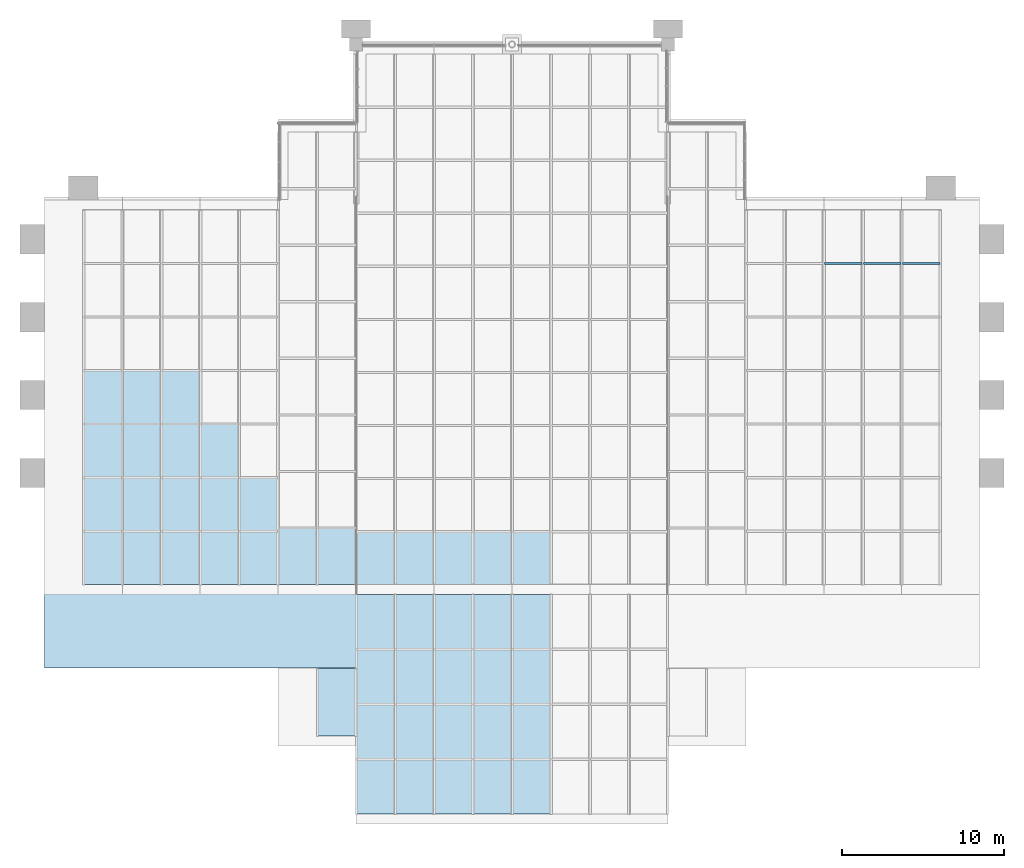
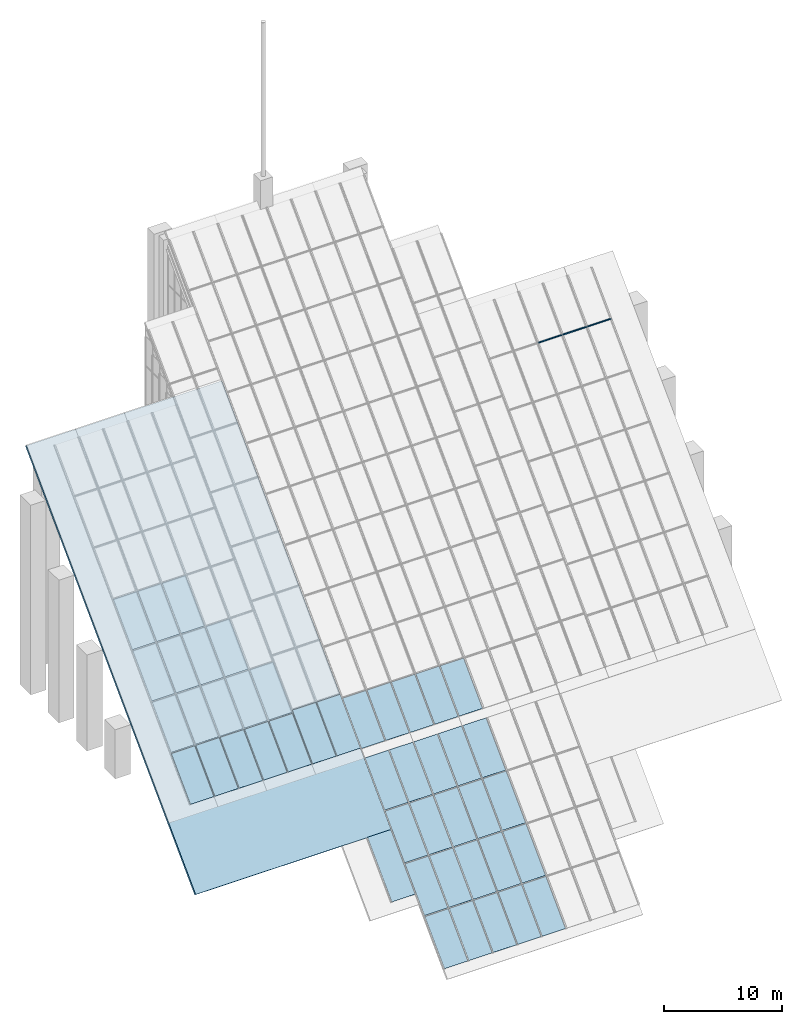
# One storey, part 17 of 25: 45 plates, 3 members, 1 slab, 21 elements without a shape of their own.
"""IFC4 building model written with IfcOpenShell, lengths in metres."""

from ifc_helpers import new_model, si_unit, direction, frame, origin, origin_2d, place, context, subcontext, project, spatial, polyline, rectangle, outline, extrude, material, layer, layer_set, material_profile, profile_set, type_object, element, aggregate, save


model = new_model("IFC4")

# Units and contexts
model_context = context("Model", 3, precision=1e-05, world=origin(), true_north=direction((0.0, 1.0)))
body_context = subcontext(model_context, "Body", "Model", "MODEL_VIEW")
ifc_project = project(units=[si_unit("LENGTHUNIT", "METRE"), si_unit("AREAUNIT", "SQUARE_METRE"), si_unit("VOLUMEUNIT", "CUBIC_METRE"), si_unit("PLANEANGLEUNIT", "RADIAN"), si_unit("MASSUNIT", "GRAM", prefix="KILO")], contexts=[model_context])

# Site, building, storey
site_placement = place(None, origin())
site = spatial("IfcSite", under=ifc_project, at=site_placement, CompositionType="ELEMENT")
building_placement = place(site_placement, origin())
building = spatial("IfcBuilding", under=site, at=building_placement, Name="Baori Bourse Tower", CompositionType="ELEMENT")
storey_placement = place(building_placement, frame((0.0, 0.0, 378.300048828125)))
storey = spatial("IfcBuildingStorey", under=building, at=storey_placement, Name="Roof", CompositionType="ELEMENT", Elevation=378.300048828125)

# Curtain wall, member
ifc_material_1 = material(Name="Pale anodised aluminium", Category="aluminium")
curtain_wall_type = type_object("IfcCurtainWallType", Name="CW4 Curtain wall", PredefinedType="NOTDEFINED", material=ifc_material_1)
curtain_wall_1_placement = place(storey_placement, origin())
curtain_wall_1 = element("IfcCurtainWall", 1, at=curtain_wall_1_placement, inside=storey, type_object=curtain_wall_type, Name="Curtain wall CW4 roof glazing 30", PredefinedType="NOTDEFINED")
ifc_material_2 = material(Name="Pale anodised aluminium", Category="aluminium")
ifc_material_profile = material_profile(ifc_material_2, rectangle(XDim=0.139892578125, YDim=0.054931640625, at=origin_2d()), Name="Transom 55x140")
ifc_profile_set = profile_set([ifc_material_profile], Name="Pale anodised aluminium")
member_type = type_object("IfcMemberType", Name="CW4 Curtain wall transom", PredefinedType="USERDEFINED", material=ifc_profile_set)
member_1_placement = place(storey_placement, frame((48.050048828125, 34.50341796875, 19.61962890625), z_axis=(1.0, 0.0, 0.0), x_axis=(0.0, 1.0, 0.0)))
member_1 = element("IfcMember", 2, at=member_1_placement, type_object=member_type, Name="Curtain wall CW4 cross bar 30.6", ObjectType="TRANSOM", PredefinedType="USERDEFINED", context=body_context, shape_type="SweptSolid", body=[
    extrude(rectangle(XDim=0.139892578125, YDim=0.054931640625, at=origin_2d()), origin(), (0.0, 0.0, 1.0), 2.300048828125),
])
aggregate(curtain_wall_1, [member_1])

curtain_wall_2_placement = place(storey_placement, origin())
curtain_wall_2 = element("IfcCurtainWall", 3, at=curtain_wall_2_placement, inside=storey, type_object=curtain_wall_type, Name="Curtain wall CW4 roof glazing 31", PredefinedType="NOTDEFINED")
member_2_placement = place(storey_placement, frame((50.449951171875, 34.50341796875, 19.61962890625), z_axis=(1.0, 0.0, 0.0), x_axis=(0.0, 1.0, 0.0)))
member_2 = element("IfcMember", 4, at=member_2_placement, type_object=member_type, Name="Curtain wall CW4 cross bar 31.6", ObjectType="TRANSOM", PredefinedType="USERDEFINED", context=body_context, shape_type="SweptSolid", body=[
    extrude(rectangle(XDim=0.139892578125, YDim=0.054931640625, at=origin_2d()), origin(), (0.0, 0.0, 1.0), 2.300048828125),
])
aggregate(curtain_wall_2, [member_2])

curtain_wall_3_placement = place(storey_placement, origin())
curtain_wall_3 = element("IfcCurtainWall", 5, at=curtain_wall_3_placement, inside=storey, type_object=curtain_wall_type, Name="Curtain wall CW4 roof glazing 32", PredefinedType="NOTDEFINED")
member_3_placement = place(storey_placement, frame((52.85009765625, 34.50341796875, 19.61962890625), z_axis=(1.0, 0.0, 0.0), x_axis=(0.0, 1.0, 0.0)))
member_3 = element("IfcMember", 6, at=member_3_placement, type_object=member_type, Name="Curtain wall CW4 cross bar 32.6", ObjectType="TRANSOM", PredefinedType="USERDEFINED", context=body_context, shape_type="SweptSolid", body=[
    extrude(rectangle(XDim=0.139892578125, YDim=0.054931640625, at=origin_2d()), origin(), (0.0, 0.0, 1.0), 2.2998046875),
])
aggregate(curtain_wall_3, [member_3])

# Curtain wall, plates
curtain_wall_4_placement = place(storey_placement, origin())
curtain_wall_4 = element("IfcCurtainWall", 7, at=curtain_wall_4_placement, inside=storey, type_object=curtain_wall_type, Name="Curtain wall CW4 roof glazing 1", PredefinedType="NOTDEFINED")
ifc_material_3 = material(Name="Clear glass", Category="glass")
ifc_layer_1 = layer(ifc_material_3, 0.02587890625)
ifc_layer_set_1 = layer_set([ifc_layer_1], Name="CW4 Curtain wall panel")
plate_type = type_object("IfcPlateType", Name="CW4 Curtain wall panel", PredefinedType="CURTAIN_PANEL", material=ifc_layer_set_1)
plate_1_placement = place(storey_placement, frame((2.449951171875, 14.723388671875, -0.38916015625), z_axis=(0.0, -0.711474983722, 0.702711425507), x_axis=(1.0, 0.0, 0.0)))
plate_1 = element("IfcPlate", 8, at=plate_1_placement, type_object=plate_type, Name="Curtain wall CW4 roof glass 1.1", PredefinedType="CURTAIN_PANEL", context=body_context, shape_type="SweptSolid", body=[
    extrude(outline(polyline([(0.0, 0.0), (2.300048828125, 0.0), (2.300048828125, 4.652389289127015), (0.0, 4.652389289127015), (0.0, 0.0)])), origin(), (0.0, 0.0, -1.0), 0.02587890625),
])
plate_2_placement = place(storey_placement, frame((2.449951171875, 18.047607421875, 2.9765625), z_axis=(0.0, -0.711485678109, 0.702700597585), x_axis=(1.0, 0.0, 0.0)))
plate_2 = element("IfcPlate", 9, at=plate_2_placement, type_object=plate_type, Name="Curtain wall CW4 roof glass 1.2", PredefinedType="CURTAIN_PANEL", context=body_context, shape_type="SweptSolid", body=[
    extrude(outline(polyline([(0.0, 0.0), (2.300048828125, 0.0), (2.300048828125, 4.613201169732892), (0.0, 4.613201169732892), (0.0, 0.0)])), origin(), (0.0, 0.0, -1.0), 0.02587890625),
])
plate_3_placement = place(storey_placement, frame((2.449951171875, 21.34423828125, 6.314453125), z_axis=(0.0, -0.711485678109, 0.702700597585), x_axis=(1.0, 0.0, 0.0)))
plate_3 = element("IfcPlate", 10, at=plate_3_placement, type_object=plate_type, Name="Curtain wall CW4 roof glass 1.3", PredefinedType="CURTAIN_PANEL", context=body_context, shape_type="SweptSolid", body=[
    extrude(outline(polyline([(0.0, 0.0), (2.300048828125, 0.0), (2.300048828125, 4.613201169732892), (0.0, 4.613201169732892), (0.0, 0.0)])), origin(), (0.0, 0.0, -1.0), 0.02587890625),
])
plate_4_placement = place(storey_placement, frame((2.449951171875, 24.640869140625, 9.65234375), z_axis=(0.0, -0.711485678109, 0.702700597585), x_axis=(1.0, 0.0, 0.0)))
plate_4 = element("IfcPlate", 11, at=plate_4_placement, type_object=plate_type, Name="Curtain wall CW4 roof glass 1.4", PredefinedType="CURTAIN_PANEL", context=body_context, shape_type="SweptSolid", body=[
    extrude(outline(polyline([(0.0, 0.0), (2.300048828125, 0.0), (2.300048828125, 4.613201169732892), (0.0, 4.613201169732892), (0.0, 0.0)])), origin(), (0.0, 0.0, -1.0), 0.02587890625),
])
aggregate(curtain_wall_4, [plate_1, plate_2, plate_3, plate_4])

curtain_wall_5_placement = place(storey_placement, origin())
curtain_wall_5 = element("IfcCurtainWall", 12, at=curtain_wall_5_placement, inside=storey, type_object=curtain_wall_type, Name="Curtain wall CW4 roof glazing 2", PredefinedType="NOTDEFINED")
plate_5_placement = place(storey_placement, frame((4.85009765625, 14.723388671875, -0.38916015625), z_axis=(0.0, -0.711474983722, 0.702711425507), x_axis=(1.0, 0.0, 0.0)))
plate_5 = element("IfcPlate", 13, at=plate_5_placement, type_object=plate_type, Name="Curtain wall CW4 roof glass 2.1", PredefinedType="CURTAIN_PANEL", context=body_context, shape_type="SweptSolid", body=[
    extrude(outline(polyline([(0.0, 0.0), (2.2998046875, 0.0), (2.2998046875, 4.652389289127015), (0.0, 4.652389289127015), (0.0, 0.0)])), origin(), (0.0, 0.0, -1.0), 0.02587890625),
])
plate_6_placement = place(storey_placement, frame((4.85009765625, 18.047607421875, 2.9765625), z_axis=(0.0, -0.711485678109, 0.702700597585), x_axis=(1.0, 0.0, 0.0)))
plate_6 = element("IfcPlate", 14, at=plate_6_placement, type_object=plate_type, Name="Curtain wall CW4 roof glass 2.2", PredefinedType="CURTAIN_PANEL", context=body_context, shape_type="SweptSolid", body=[
    extrude(outline(polyline([(0.0, 0.0), (2.2998046875, 0.0), (2.2998046875, 4.613201169732892), (0.0, 4.613201169732892), (0.0, 0.0)])), origin(), (0.0, 0.0, -1.0), 0.02587890625),
])
plate_7_placement = place(storey_placement, frame((4.85009765625, 21.34423828125, 6.314453125), z_axis=(0.0, -0.711485678109, 0.702700597585), x_axis=(1.0, 0.0, 0.0)))
plate_7 = element("IfcPlate", 15, at=plate_7_placement, type_object=plate_type, Name="Curtain wall CW4 roof glass 2.3", PredefinedType="CURTAIN_PANEL", context=body_context, shape_type="SweptSolid", body=[
    extrude(outline(polyline([(0.0, 0.0), (2.2998046875, 0.0), (2.2998046875, 4.613201169732892), (0.0, 4.613201169732892), (0.0, 0.0)])), origin(), (0.0, 0.0, -1.0), 0.02587890625),
])
plate_8_placement = place(storey_placement, frame((4.85009765625, 24.640869140625, 9.65234375), z_axis=(0.0, -0.711485678109, 0.702700597585), x_axis=(1.0, 0.0, 0.0)))
plate_8 = element("IfcPlate", 16, at=plate_8_placement, type_object=plate_type, Name="Curtain wall CW4 roof glass 2.4", PredefinedType="CURTAIN_PANEL", context=body_context, shape_type="SweptSolid", body=[
    extrude(outline(polyline([(0.0, 0.0), (2.2998046875, 0.0), (2.2998046875, 4.613201169732892), (0.0, 4.613201169732892), (0.0, 0.0)])), origin(), (0.0, 0.0, -1.0), 0.02587890625),
])
aggregate(curtain_wall_5, [plate_5, plate_6, plate_7, plate_8])

curtain_wall_6_placement = place(storey_placement, origin())
curtain_wall_6 = element("IfcCurtainWall", 17, at=curtain_wall_6_placement, inside=storey, type_object=curtain_wall_type, Name="Curtain wall CW4 roof glazing 3", PredefinedType="NOTDEFINED")
plate_9_placement = place(storey_placement, frame((7.25, 14.723388671875, -0.38916015625), z_axis=(0.0, -0.711474983722, 0.702711425507), x_axis=(1.0, 0.0, 0.0)))
plate_9 = element("IfcPlate", 18, at=plate_9_placement, type_object=plate_type, Name="Curtain wall CW4 roof glass 3.1", PredefinedType="CURTAIN_PANEL", context=body_context, shape_type="SweptSolid", body=[
    extrude(outline(polyline([(0.0, 0.0), (2.300048828125, 0.0), (2.300048828125, 4.652389289127015), (0.0, 4.652389289127015), (0.0, 0.0)])), origin(), (0.0, 0.0, -1.0), 0.02587890625),
])
plate_10_placement = place(storey_placement, frame((7.25, 18.047607421875, 2.9765625), z_axis=(0.0, -0.711485678109, 0.702700597585), x_axis=(1.0, 0.0, 0.0)))
plate_10 = element("IfcPlate", 19, at=plate_10_placement, type_object=plate_type, Name="Curtain wall CW4 roof glass 3.2", PredefinedType="CURTAIN_PANEL", context=body_context, shape_type="SweptSolid", body=[
    extrude(outline(polyline([(0.0, 0.0), (2.300048828125, 0.0), (2.300048828125, 4.613201169732892), (0.0, 4.613201169732892), (0.0, 0.0)])), origin(), (0.0, 0.0, -1.0), 0.02587890625),
])
plate_11_placement = place(storey_placement, frame((7.25, 21.34423828125, 6.314453125), z_axis=(0.0, -0.711485678109, 0.702700597585), x_axis=(1.0, 0.0, 0.0)))
plate_11 = element("IfcPlate", 20, at=plate_11_placement, type_object=plate_type, Name="Curtain wall CW4 roof glass 3.3", PredefinedType="CURTAIN_PANEL", context=body_context, shape_type="SweptSolid", body=[
    extrude(outline(polyline([(0.0, 0.0), (2.300048828125, 0.0), (2.300048828125, 4.613201169732892), (0.0, 4.613201169732892), (0.0, 0.0)])), origin(), (0.0, 0.0, -1.0), 0.02587890625),
])
plate_12_placement = place(storey_placement, frame((7.25, 24.640869140625, 9.65234375), z_axis=(0.0, -0.711485678109, 0.702700597585), x_axis=(1.0, 0.0, 0.0)))
plate_12 = element("IfcPlate", 21, at=plate_12_placement, type_object=plate_type, Name="Curtain wall CW4 roof glass 3.4", PredefinedType="CURTAIN_PANEL", context=body_context, shape_type="SweptSolid", body=[
    extrude(outline(polyline([(0.0, 0.0), (2.300048828125, 0.0), (2.300048828125, 4.613201169732892), (0.0, 4.613201169732892), (0.0, 0.0)])), origin(), (0.0, 0.0, -1.0), 0.02587890625),
])
aggregate(curtain_wall_6, [plate_9, plate_10, plate_11, plate_12])

curtain_wall_7_placement = place(storey_placement, origin())
curtain_wall_7 = element("IfcCurtainWall", 22, at=curtain_wall_7_placement, inside=storey, type_object=curtain_wall_type, Name="Curtain wall CW4 roof glazing 4", PredefinedType="NOTDEFINED")
plate_13_placement = place(storey_placement, frame((9.64990234375, 14.723388671875, -0.38916015625), z_axis=(0.0, -0.711474983722, 0.702711425507), x_axis=(1.0, 0.0, 0.0)))
plate_13 = element("IfcPlate", 23, at=plate_13_placement, type_object=plate_type, Name="Curtain wall CW4 roof glass 4.1", PredefinedType="CURTAIN_PANEL", context=body_context, shape_type="SweptSolid", body=[
    extrude(outline(polyline([(0.0, 0.0), (2.300048828125, 0.0), (2.300048828125, 4.652389289127015), (0.0, 4.652389289127015), (0.0, 0.0)])), origin(), (0.0, 0.0, -1.0), 0.02587890625),
])
plate_14_placement = place(storey_placement, frame((9.64990234375, 18.047607421875, 2.9765625), z_axis=(0.0, -0.711485678109, 0.702700597585), x_axis=(1.0, 0.0, 0.0)))
plate_14 = element("IfcPlate", 24, at=plate_14_placement, type_object=plate_type, Name="Curtain wall CW4 roof glass 4.2", PredefinedType="CURTAIN_PANEL", context=body_context, shape_type="SweptSolid", body=[
    extrude(outline(polyline([(0.0, 0.0), (2.300048828125, 0.0), (2.300048828125, 4.613201169732892), (0.0, 4.613201169732892), (0.0, 0.0)])), origin(), (0.0, 0.0, -1.0), 0.02587890625),
])
plate_15_placement = place(storey_placement, frame((9.64990234375, 21.34423828125, 6.314453125), z_axis=(0.0, -0.711485678109, 0.702700597585), x_axis=(1.0, 0.0, 0.0)))
plate_15 = element("IfcPlate", 25, at=plate_15_placement, type_object=plate_type, Name="Curtain wall CW4 roof glass 4.3", PredefinedType="CURTAIN_PANEL", context=body_context, shape_type="SweptSolid", body=[
    extrude(outline(polyline([(0.0, 0.0), (2.300048828125, 0.0), (2.300048828125, 4.613201169732892), (0.0, 4.613201169732892), (0.0, 0.0)])), origin(), (0.0, 0.0, -1.0), 0.02587890625),
])
aggregate(curtain_wall_7, [plate_13, plate_14, plate_15])

curtain_wall_8_placement = place(storey_placement, origin())
curtain_wall_8 = element("IfcCurtainWall", 26, at=curtain_wall_8_placement, inside=storey, type_object=curtain_wall_type, Name="Curtain wall CW4 roof glazing 5", PredefinedType="NOTDEFINED")
plate_16_placement = place(storey_placement, frame((12.050048828125, 14.723388671875, -0.38916015625), z_axis=(0.0, -0.711474983722, 0.702711425507), x_axis=(1.0, 0.0, 0.0)))
plate_16 = element("IfcPlate", 27, at=plate_16_placement, type_object=plate_type, Name="Curtain wall CW4 roof glass 5.1", PredefinedType="CURTAIN_PANEL", context=body_context, shape_type="SweptSolid", body=[
    extrude(outline(polyline([(0.0, 0.0), (2.300048828125, 0.0), (2.300048828125, 4.652389289127015), (0.0, 4.652389289127015), (0.0, 0.0)])), origin(), (0.0, 0.0, -1.0), 0.02587890625),
])
plate_17_placement = place(storey_placement, frame((12.050048828125, 18.047607421875, 2.9765625), z_axis=(0.0, -0.711485678109, 0.702700597585), x_axis=(1.0, 0.0, 0.0)))
plate_17 = element("IfcPlate", 28, at=plate_17_placement, type_object=plate_type, Name="Curtain wall CW4 roof glass 5.2", PredefinedType="CURTAIN_PANEL", context=body_context, shape_type="SweptSolid", body=[
    extrude(outline(polyline([(0.0, 0.0), (2.300048828125, 0.0), (2.300048828125, 4.613201169732892), (0.0, 4.613201169732892), (0.0, 0.0)])), origin(), (0.0, 0.0, -1.0), 0.02587890625),
])
aggregate(curtain_wall_8, [plate_16, plate_17])

# Curtain wall, plate
curtain_wall_9_placement = place(storey_placement, origin())
curtain_wall_9 = element("IfcCurtainWall", 29, at=curtain_wall_9_placement, inside=storey, type_object=curtain_wall_type, Name="Curtain wall CW4 roof glazing 6", PredefinedType="NOTDEFINED")
plate_18_placement = place(storey_placement, frame((14.449951171875, 14.723388671875, -0.38916015625), z_axis=(0.0, -0.711509528176, 0.702676448527), x_axis=(1.0, 0.0, 0.0)))
plate_18 = element("IfcPlate", 30, at=plate_18_placement, type_object=plate_type, Name="Curtain wall CW4 roof glass 6.1", PredefinedType="CURTAIN_PANEL", context=body_context, shape_type="SweptSolid", body=[
    extrude(outline(polyline([(0.0, 0.0), (2.300048828125, 0.0), (2.300048828125, 4.919805206575271), (0.0, 4.919805206575271), (0.0, 0.0)])), origin(), (0.0, 0.0, -1.0), 0.02587890625),
])
aggregate(curtain_wall_9, [plate_18])

curtain_wall_10_placement = place(storey_placement, origin())
curtain_wall_10 = element("IfcCurtainWall", 31, at=curtain_wall_10_placement, inside=storey, type_object=curtain_wall_type, Name="Curtain wall CW4 roof glazing 7", PredefinedType="NOTDEFINED")
plate_19_placement = place(storey_placement, frame((16.85009765625, 14.723388671875, -0.38916015625), z_axis=(0.0, -0.711509528176, 0.702676448527), x_axis=(1.0, 0.0, 0.0)))
plate_19 = element("IfcPlate", 32, at=plate_19_placement, type_object=plate_type, Name="Curtain wall CW4 roof glass 7.1", PredefinedType="CURTAIN_PANEL", context=body_context, shape_type="SweptSolid", body=[
    extrude(outline(polyline([(0.0, 0.0), (2.2998046875, 0.0), (2.2998046875, 4.91980520657527), (0.0, 4.91980520657527), (0.0, 0.0)])), origin(), (0.0, 0.0, -1.0), 0.02587890625),
])
aggregate(curtain_wall_10, [plate_19])

curtain_wall_11_placement = place(storey_placement, origin())
curtain_wall_11 = element("IfcCurtainWall", 33, at=curtain_wall_11_placement, inside=storey, type_object=curtain_wall_type, Name="Curtain wall CW4 roof glazing 8", PredefinedType="NOTDEFINED")
plate_20_placement = place(storey_placement, frame((16.85009765625, 5.39990234375, -9.91455078125), z_axis=(0.0, -0.711475073661, 0.702711334446), x_axis=(1.0, 0.0, 0.0)))
plate_20 = element("IfcPlate", 34, at=plate_20_placement, type_object=plate_type, Name="Curtain wall CW4 roof glass 8.1", PredefinedType="CURTAIN_PANEL", context=body_context, shape_type="SweptSolid", body=[
    extrude(outline(polyline([(0.0, 0.0), (2.2998046875, 0.0), (2.2998046875, 5.905905143317725), (0.0, 5.905905143317725), (0.0, 0.0)])), origin(), (0.0, 0.0, -1.0), 0.02587890625),
])
aggregate(curtain_wall_11, [plate_20])

curtain_wall_12_placement = place(storey_placement, origin())
curtain_wall_12 = element("IfcCurtainWall", 35, at=curtain_wall_12_placement, inside=storey, type_object=curtain_wall_type, Name="Curtain wall CW4 roof glazing 9", PredefinedType="NOTDEFINED")
plate_21_placement = place(storey_placement, frame((19.25, 14.723388671875, -0.474365234375), z_axis=(0.0, -0.711461493798, 0.702725083403), x_axis=(1.0, 0.0, 0.0)))
plate_21 = element("IfcPlate", 36, at=plate_21_placement, type_object=plate_type, Name="Curtain wall CW4 roof glass 9.1", PredefinedType="CURTAIN_PANEL", context=body_context, shape_type="SweptSolid", body=[
    extrude(outline(polyline([(0.0, 0.0), (2.300048828125, 0.0), (2.300048828125, 4.610955907978166), (0.0, 4.610955907978166), (0.0, 0.0)])), origin(), (0.0, 0.0, -1.0), 0.02587890625),
])
aggregate(curtain_wall_12, [plate_21])

# Curtain wall, plates
curtain_wall_13_placement = place(storey_placement, origin())
curtain_wall_13 = element("IfcCurtainWall", 37, at=curtain_wall_13_placement, inside=storey, type_object=curtain_wall_type, Name="Curtain wall CW4 roof glazing 10", PredefinedType="NOTDEFINED")
plate_22_placement = place(storey_placement, frame((19.25, 0.60009765625, -14.7744140625), z_axis=(0.0, -0.711492602999, 0.702693586051), x_axis=(1.0, 0.0, 0.0)))
plate_22 = element("IfcPlate", 38, at=plate_22_placement, type_object=plate_type, Name="Curtain wall CW4 roof glass 10.1", PredefinedType="CURTAIN_PANEL", context=body_context, shape_type="SweptSolid", body=[
    extrude(outline(polyline([(0.0, 0.0), (2.300048828125, 0.0), (2.300048828125, 4.772372612429553), (0.0, 4.772372612429553), (0.0, 0.0)])), origin(), (0.0, 0.0, -1.0), 0.02587890625),
])
plate_23_placement = place(storey_placement, frame((19.25, 4.008544921875, -11.3232421875), z_axis=(0.0, -0.711477384049, 0.702708995236), x_axis=(1.0, 0.0, 0.0)))
plate_23 = element("IfcPlate", 39, at=plate_23_placement, type_object=plate_type, Name="Curtain wall CW4 roof glass 10.2", PredefinedType="CURTAIN_PANEL", context=body_context, shape_type="SweptSolid", body=[
    extrude(outline(polyline([(0.0, 0.0), (2.300048828125, 0.0), (2.300048828125, 4.733356051435262), (0.0, 4.733356051435262), (0.0, 0.0)])), origin(), (0.0, 0.0, -1.0), 0.02587890625),
])
plate_24_placement = place(storey_placement, frame((19.25, 7.3896484375, -7.89990234375), z_axis=(0.0, -0.711477384049, 0.702708995236), x_axis=(1.0, 0.0, 0.0)))
plate_24 = element("IfcPlate", 40, at=plate_24_placement, type_object=plate_type, Name="Curtain wall CW4 roof glass 10.3", PredefinedType="CURTAIN_PANEL", context=body_context, shape_type="SweptSolid", body=[
    extrude(outline(polyline([(0.0, 0.0), (2.300048828125, 0.0), (2.300048828125, 4.733356051435262), (0.0, 4.733356051435262), (0.0, 0.0)])), origin(), (0.0, 0.0, -1.0), 0.02587890625),
])
plate_25_placement = place(storey_placement, frame((19.25, 10.770751953125, -4.4765625), z_axis=(0.0, -0.711492286717, 0.702693906293), x_axis=(1.0, 0.0, 0.0)))
plate_25 = element("IfcPlate", 41, at=plate_25_placement, type_object=plate_type, Name="Curtain wall CW4 roof glass 10.4", PredefinedType="CURTAIN_PANEL", context=body_context, shape_type="SweptSolid", body=[
    extrude(outline(polyline([(0.0, 0.0), (2.300048828125, 0.0), (2.300048828125, 4.772717872730097), (0.0, 4.772717872730097), (0.0, 0.0)])), origin(), (0.0, 0.0, -1.0), 0.02587890625),
])
aggregate(curtain_wall_13, [plate_22, plate_23, plate_24, plate_25])

# Curtain wall, plate
curtain_wall_14_placement = place(storey_placement, origin())
curtain_wall_14 = element("IfcCurtainWall", 42, at=curtain_wall_14_placement, inside=storey, type_object=curtain_wall_type, Name="Curtain wall CW4 roof glazing 11", PredefinedType="NOTDEFINED")
plate_26_placement = place(storey_placement, frame((21.64990234375, 14.723388671875, -0.474365234375), z_axis=(0.0, -0.711461493798, 0.702725083403), x_axis=(1.0, 0.0, 0.0)))
plate_26 = element("IfcPlate", 43, at=plate_26_placement, type_object=plate_type, Name="Curtain wall CW4 roof glass 11.1", PredefinedType="CURTAIN_PANEL", context=body_context, shape_type="SweptSolid", body=[
    extrude(outline(polyline([(0.0, 0.0), (2.300048828125, 0.0), (2.300048828125, 4.610955907978166), (0.0, 4.610955907978166), (0.0, 0.0)])), origin(), (0.0, 0.0, -1.0), 0.02587890625),
])
aggregate(curtain_wall_14, [plate_26])

# Curtain wall, plates
curtain_wall_15_placement = place(storey_placement, origin())
curtain_wall_15 = element("IfcCurtainWall", 44, at=curtain_wall_15_placement, inside=storey, type_object=curtain_wall_type, Name="Curtain wall CW4 roof glazing 12", PredefinedType="NOTDEFINED")
plate_27_placement = place(storey_placement, frame((21.64990234375, 0.60009765625, -14.7744140625), z_axis=(0.0, -0.711492602999, 0.702693586051), x_axis=(1.0, 0.0, 0.0)))
plate_27 = element("IfcPlate", 45, at=plate_27_placement, type_object=plate_type, Name="Curtain wall CW4 roof glass 12.1", PredefinedType="CURTAIN_PANEL", context=body_context, shape_type="SweptSolid", body=[
    extrude(outline(polyline([(0.0, 0.0), (2.300048828125, 0.0), (2.300048828125, 4.772372612429553), (0.0, 4.772372612429553), (0.0, 0.0)])), origin(), (0.0, 0.0, -1.0), 0.02587890625),
])
plate_28_placement = place(storey_placement, frame((21.64990234375, 4.008544921875, -11.3232421875), z_axis=(0.0, -0.711477384049, 0.702708995236), x_axis=(1.0, 0.0, 0.0)))
plate_28 = element("IfcPlate", 46, at=plate_28_placement, type_object=plate_type, Name="Curtain wall CW4 roof glass 12.2", PredefinedType="CURTAIN_PANEL", context=body_context, shape_type="SweptSolid", body=[
    extrude(outline(polyline([(0.0, 0.0), (2.300048828125, 0.0), (2.300048828125, 4.733356051435262), (0.0, 4.733356051435262), (0.0, 0.0)])), origin(), (0.0, 0.0, -1.0), 0.02587890625),
])
plate_29_placement = place(storey_placement, frame((21.64990234375, 7.3896484375, -7.89990234375), z_axis=(0.0, -0.711477384049, 0.702708995236), x_axis=(1.0, 0.0, 0.0)))
plate_29 = element("IfcPlate", 47, at=plate_29_placement, type_object=plate_type, Name="Curtain wall CW4 roof glass 12.3", PredefinedType="CURTAIN_PANEL", context=body_context, shape_type="SweptSolid", body=[
    extrude(outline(polyline([(0.0, 0.0), (2.300048828125, 0.0), (2.300048828125, 4.733356051435262), (0.0, 4.733356051435262), (0.0, 0.0)])), origin(), (0.0, 0.0, -1.0), 0.02587890625),
])
plate_30_placement = place(storey_placement, frame((21.64990234375, 10.770751953125, -4.4765625), z_axis=(0.0, -0.711492286717, 0.702693906293), x_axis=(1.0, 0.0, 0.0)))
plate_30 = element("IfcPlate", 48, at=plate_30_placement, type_object=plate_type, Name="Curtain wall CW4 roof glass 12.4", PredefinedType="CURTAIN_PANEL", context=body_context, shape_type="SweptSolid", body=[
    extrude(outline(polyline([(0.0, 0.0), (2.300048828125, 0.0), (2.300048828125, 4.772717872730097), (0.0, 4.772717872730097), (0.0, 0.0)])), origin(), (0.0, 0.0, -1.0), 0.02587890625),
])
aggregate(curtain_wall_15, [plate_27, plate_28, plate_29, plate_30])

# Curtain wall, plate
curtain_wall_16_placement = place(storey_placement, origin())
curtain_wall_16 = element("IfcCurtainWall", 49, at=curtain_wall_16_placement, inside=storey, type_object=curtain_wall_type, Name="Curtain wall CW4 roof glazing 13", PredefinedType="NOTDEFINED")
plate_31_placement = place(storey_placement, frame((24.050048828125, 14.723388671875, -0.474365234375), z_axis=(0.0, -0.711461493798, 0.702725083403), x_axis=(1.0, 0.0, 0.0)))
plate_31 = element("IfcPlate", 50, at=plate_31_placement, type_object=plate_type, Name="Curtain wall CW4 roof glass 13.1", PredefinedType="CURTAIN_PANEL", context=body_context, shape_type="SweptSolid", body=[
    extrude(outline(polyline([(0.0, 0.0), (2.300048828125, 0.0), (2.300048828125, 4.610955907978166), (0.0, 4.610955907978166), (0.0, 0.0)])), origin(), (0.0, 0.0, -1.0), 0.02587890625),
])
aggregate(curtain_wall_16, [plate_31])

# Curtain wall, plates
curtain_wall_17_placement = place(storey_placement, origin())
curtain_wall_17 = element("IfcCurtainWall", 51, at=curtain_wall_17_placement, inside=storey, type_object=curtain_wall_type, Name="Curtain wall CW4 roof glazing 14", PredefinedType="NOTDEFINED")
plate_32_placement = place(storey_placement, frame((24.050048828125, 0.60009765625, -14.7744140625), z_axis=(0.0, -0.711492602999, 0.702693586051), x_axis=(1.0, 0.0, 0.0)))
plate_32 = element("IfcPlate", 52, at=plate_32_placement, type_object=plate_type, Name="Curtain wall CW4 roof glass 14.1", PredefinedType="CURTAIN_PANEL", context=body_context, shape_type="SweptSolid", body=[
    extrude(outline(polyline([(0.0, 0.0), (2.300048828125, 0.0), (2.300048828125, 4.772372612429553), (0.0, 4.772372612429553), (0.0, 0.0)])), origin(), (0.0, 0.0, -1.0), 0.02587890625),
])
plate_33_placement = place(storey_placement, frame((24.050048828125, 4.008544921875, -11.3232421875), z_axis=(0.0, -0.711477384049, 0.702708995236), x_axis=(1.0, 0.0, 0.0)))
plate_33 = element("IfcPlate", 53, at=plate_33_placement, type_object=plate_type, Name="Curtain wall CW4 roof glass 14.2", PredefinedType="CURTAIN_PANEL", context=body_context, shape_type="SweptSolid", body=[
    extrude(outline(polyline([(0.0, 0.0), (2.300048828125, 0.0), (2.300048828125, 4.733356051435262), (0.0, 4.733356051435262), (0.0, 0.0)])), origin(), (0.0, 0.0, -1.0), 0.02587890625),
])
plate_34_placement = place(storey_placement, frame((24.050048828125, 7.3896484375, -7.89990234375), z_axis=(0.0, -0.711477384049, 0.702708995236), x_axis=(1.0, 0.0, 0.0)))
plate_34 = element("IfcPlate", 54, at=plate_34_placement, type_object=plate_type, Name="Curtain wall CW4 roof glass 14.3", PredefinedType="CURTAIN_PANEL", context=body_context, shape_type="SweptSolid", body=[
    extrude(outline(polyline([(0.0, 0.0), (2.300048828125, 0.0), (2.300048828125, 4.733356051435262), (0.0, 4.733356051435262), (0.0, 0.0)])), origin(), (0.0, 0.0, -1.0), 0.02587890625),
])
plate_35_placement = place(storey_placement, frame((24.050048828125, 10.770751953125, -4.4765625), z_axis=(0.0, -0.711492286717, 0.702693906293), x_axis=(1.0, 0.0, 0.0)))
plate_35 = element("IfcPlate", 55, at=plate_35_placement, type_object=plate_type, Name="Curtain wall CW4 roof glass 14.4", PredefinedType="CURTAIN_PANEL", context=body_context, shape_type="SweptSolid", body=[
    extrude(outline(polyline([(0.0, 0.0), (2.300048828125, 0.0), (2.300048828125, 4.772717872730097), (0.0, 4.772717872730097), (0.0, 0.0)])), origin(), (0.0, 0.0, -1.0), 0.02587890625),
])
aggregate(curtain_wall_17, [plate_32, plate_33, plate_34, plate_35])

# Curtain wall, plate
curtain_wall_18_placement = place(storey_placement, origin())
curtain_wall_18 = element("IfcCurtainWall", 56, at=curtain_wall_18_placement, inside=storey, type_object=curtain_wall_type, Name="Curtain wall CW4 roof glazing 15", PredefinedType="NOTDEFINED")
plate_36_placement = place(storey_placement, frame((26.449951171875, 14.723388671875, -0.474365234375), z_axis=(0.0, -0.711461493798, 0.702725083403), x_axis=(1.0, 0.0, 0.0)))
plate_36 = element("IfcPlate", 57, at=plate_36_placement, type_object=plate_type, Name="Curtain wall CW4 roof glass 15.1", PredefinedType="CURTAIN_PANEL", context=body_context, shape_type="SweptSolid", body=[
    extrude(outline(polyline([(0.0, 0.0), (2.300048828125, 0.0), (2.300048828125, 4.610955907978166), (0.0, 4.610955907978166), (0.0, 0.0)])), origin(), (0.0, 0.0, -1.0), 0.02587890625),
])
aggregate(curtain_wall_18, [plate_36])

# Curtain wall, plates
curtain_wall_19_placement = place(storey_placement, origin())
curtain_wall_19 = element("IfcCurtainWall", 58, at=curtain_wall_19_placement, inside=storey, type_object=curtain_wall_type, Name="Curtain wall CW4 roof glazing 16", PredefinedType="NOTDEFINED")
plate_37_placement = place(storey_placement, frame((26.449951171875, 0.60009765625, -14.7744140625), z_axis=(0.0, -0.711492602999, 0.702693586051), x_axis=(1.0, 0.0, 0.0)))
plate_37 = element("IfcPlate", 59, at=plate_37_placement, type_object=plate_type, Name="Curtain wall CW4 roof glass 16.1", PredefinedType="CURTAIN_PANEL", context=body_context, shape_type="SweptSolid", body=[
    extrude(outline(polyline([(0.0, 0.0), (2.300048828125, 0.0), (2.300048828125, 4.772372612429553), (0.0, 4.772372612429553), (0.0, 0.0)])), origin(), (0.0, 0.0, -1.0), 0.02587890625),
])
plate_38_placement = place(storey_placement, frame((26.449951171875, 4.008544921875, -11.3232421875), z_axis=(0.0, -0.711477384049, 0.702708995236), x_axis=(1.0, 0.0, 0.0)))
plate_38 = element("IfcPlate", 60, at=plate_38_placement, type_object=plate_type, Name="Curtain wall CW4 roof glass 16.2", PredefinedType="CURTAIN_PANEL", context=body_context, shape_type="SweptSolid", body=[
    extrude(outline(polyline([(0.0, 0.0), (2.300048828125, 0.0), (2.300048828125, 4.733356051435262), (0.0, 4.733356051435262), (0.0, 0.0)])), origin(), (0.0, 0.0, -1.0), 0.02587890625),
])
plate_39_placement = place(storey_placement, frame((26.449951171875, 7.3896484375, -7.89990234375), z_axis=(0.0, -0.711477384049, 0.702708995236), x_axis=(1.0, 0.0, 0.0)))
plate_39 = element("IfcPlate", 61, at=plate_39_placement, type_object=plate_type, Name="Curtain wall CW4 roof glass 16.3", PredefinedType="CURTAIN_PANEL", context=body_context, shape_type="SweptSolid", body=[
    extrude(outline(polyline([(0.0, 0.0), (2.300048828125, 0.0), (2.300048828125, 4.733356051435262), (0.0, 4.733356051435262), (0.0, 0.0)])), origin(), (0.0, 0.0, -1.0), 0.02587890625),
])
plate_40_placement = place(storey_placement, frame((26.449951171875, 10.770751953125, -4.4765625), z_axis=(0.0, -0.711492286717, 0.702693906293), x_axis=(1.0, 0.0, 0.0)))
plate_40 = element("IfcPlate", 62, at=plate_40_placement, type_object=plate_type, Name="Curtain wall CW4 roof glass 16.4", PredefinedType="CURTAIN_PANEL", context=body_context, shape_type="SweptSolid", body=[
    extrude(outline(polyline([(0.0, 0.0), (2.300048828125, 0.0), (2.300048828125, 4.772717872730097), (0.0, 4.772717872730097), (0.0, 0.0)])), origin(), (0.0, 0.0, -1.0), 0.02587890625),
])
aggregate(curtain_wall_19, [plate_37, plate_38, plate_39, plate_40])

# Curtain wall, plate
curtain_wall_20_placement = place(storey_placement, origin())
curtain_wall_20 = element("IfcCurtainWall", 63, at=curtain_wall_20_placement, inside=storey, type_object=curtain_wall_type, Name="Curtain wall CW4 roof glazing 17", PredefinedType="NOTDEFINED")
plate_41_placement = place(storey_placement, frame((28.85009765625, 14.723388671875, -0.474365234375), z_axis=(0.0, -0.711461493798, 0.702725083403), x_axis=(1.0, 0.0, 0.0)))
plate_41 = element("IfcPlate", 64, at=plate_41_placement, type_object=plate_type, Name="Curtain wall CW4 roof glass 17.1", PredefinedType="CURTAIN_PANEL", context=body_context, shape_type="SweptSolid", body=[
    extrude(outline(polyline([(0.0, 0.0), (2.2998046875, 0.0), (2.2998046875, 4.610955907978166), (0.0, 4.610955907978166), (0.0, 0.0)])), origin(), (0.0, 0.0, -1.0), 0.02587890625),
])
aggregate(curtain_wall_20, [plate_41])

# Curtain wall, plates
curtain_wall_21_placement = place(storey_placement, origin())
curtain_wall_21 = element("IfcCurtainWall", 65, at=curtain_wall_21_placement, inside=storey, type_object=curtain_wall_type, Name="Curtain wall CW4 roof glazing 18", PredefinedType="NOTDEFINED")
plate_42_placement = place(storey_placement, frame((28.85009765625, 0.60009765625, -14.7744140625), z_axis=(0.0, -0.711492602999, 0.702693586051), x_axis=(1.0, 0.0, 0.0)))
plate_42 = element("IfcPlate", 66, at=plate_42_placement, type_object=plate_type, Name="Curtain wall CW4 roof glass 18.1", PredefinedType="CURTAIN_PANEL", context=body_context, shape_type="SweptSolid", body=[
    extrude(outline(polyline([(0.0, 0.0), (2.2998046875, 0.0), (2.2998046875, 4.772372612429553), (0.0, 4.772372612429553), (0.0, 0.0)])), origin(), (0.0, 0.0, -1.0), 0.02587890625),
])
plate_43_placement = place(storey_placement, frame((28.85009765625, 4.008544921875, -11.3232421875), z_axis=(0.0, -0.711477384049, 0.702708995236), x_axis=(1.0, 0.0, 0.0)))
plate_43 = element("IfcPlate", 67, at=plate_43_placement, type_object=plate_type, Name="Curtain wall CW4 roof glass 18.2", PredefinedType="CURTAIN_PANEL", context=body_context, shape_type="SweptSolid", body=[
    extrude(outline(polyline([(0.0, 0.0), (2.2998046875, 0.0), (2.2998046875, 4.733356051435262), (0.0, 4.733356051435262), (0.0, 0.0)])), origin(), (0.0, 0.0, -1.0), 0.02587890625),
])
plate_44_placement = place(storey_placement, frame((28.85009765625, 7.3896484375, -7.89990234375), z_axis=(0.0, -0.711477384049, 0.702708995236), x_axis=(1.0, 0.0, 0.0)))
plate_44 = element("IfcPlate", 68, at=plate_44_placement, type_object=plate_type, Name="Curtain wall CW4 roof glass 18.3", PredefinedType="CURTAIN_PANEL", context=body_context, shape_type="SweptSolid", body=[
    extrude(outline(polyline([(0.0, 0.0), (2.2998046875, 0.0), (2.2998046875, 4.733356051435262), (0.0, 4.733356051435262), (0.0, 0.0)])), origin(), (0.0, 0.0, -1.0), 0.02587890625),
])
plate_45_placement = place(storey_placement, frame((28.85009765625, 10.770751953125, -4.4765625), z_axis=(0.0, -0.711492286717, 0.702693906293), x_axis=(1.0, 0.0, 0.0)))
plate_45 = element("IfcPlate", 69, at=plate_45_placement, type_object=plate_type, Name="Curtain wall CW4 roof glass 18.4", PredefinedType="CURTAIN_PANEL", context=body_context, shape_type="SweptSolid", body=[
    extrude(outline(polyline([(0.0, 0.0), (2.2998046875, 0.0), (2.2998046875, 4.772717872730097), (0.0, 4.772717872730097), (0.0, 0.0)])), origin(), (0.0, 0.0, -1.0), 0.02587890625),
])
aggregate(curtain_wall_21, [plate_42, plate_43, plate_44, plate_45])

# Slab
ifc_material_4 = material(Name="Concrete f'c 40 MPa", Category="concrete")
ifc_layer_2 = layer(ifc_material_4, 0.25)
ifc_layer_set_2 = layer_set([ifc_layer_2], Name="Core roof slab 250")
slab_type = type_object("IfcSlabType", Name="Core roof slab 250", PredefinedType="ROOF", material=ifc_layer_set_2)
slab_placement = place(storey_placement, frame((0.0, 9.60009765625, -5.780029296875), z_axis=(0.0, -0.711486348452, 0.702699918861), x_axis=(1.0, 0.0, 0.0)))
element("IfcSlab", 70, at=slab_placement, inside=storey, type_object=slab_type, Name="Core roof slab W", PredefinedType="ROOF", context=body_context, shape_type="SweptSolid", body=[
    extrude(outline(polyline([(0.0, 0.0), (19.199951171875, 0.0), (19.199951171875, 40.98449980498263), (0.0, 40.98449980498263), (0.0, 0.0)])), origin(), (0.0, 0.0, -1.0), 0.25),
])

save(model, "model.ifc")
